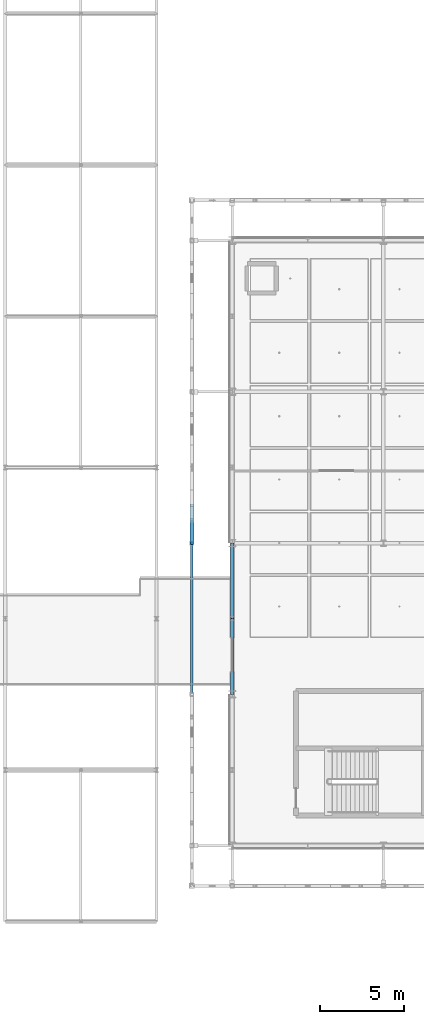
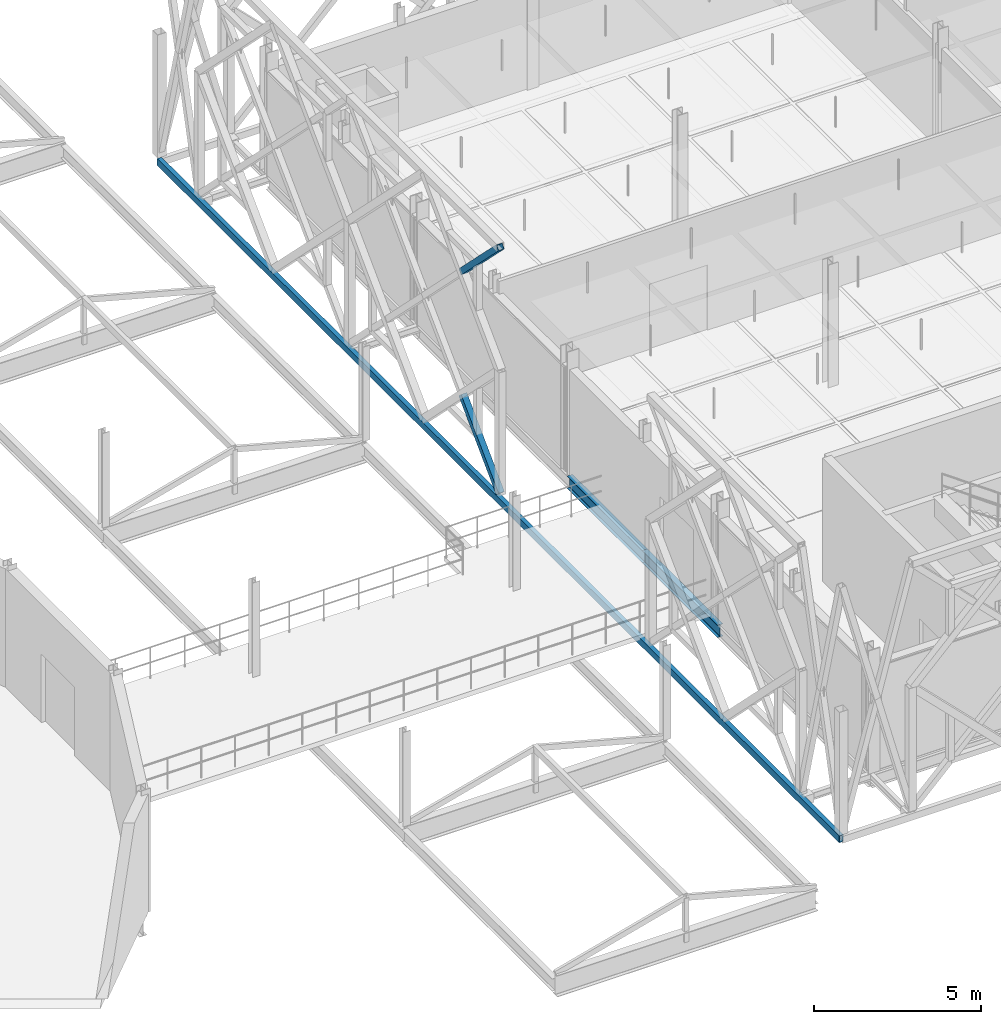
# One storey, part 23 of 140: 3 beams, 2 members.
"""IFC4 building model written with IfcOpenShell, lengths in metres."""

from ifc_helpers import new_model, si_unit, direction, frame, origin, origin_2d, place, context, subcontext, project, spatial, hollow_rectangle, i_section, extrude, material, material_profile, profile_set, type_object, element, save


model = new_model("IFC4")

# Units and contexts
model_context = context("Model", 3, precision=1e-05, world=origin(), true_north=direction((0.0, 1.0)))
body_context = subcontext(model_context, "Body", "Model", "MODEL_VIEW")
ifc_project = project(units=[si_unit("LENGTHUNIT", "METRE"), si_unit("AREAUNIT", "SQUARE_METRE"), si_unit("VOLUMEUNIT", "CUBIC_METRE"), si_unit("PLANEANGLEUNIT", "RADIAN"), si_unit("MASSUNIT", "GRAM", prefix="KILO"), si_unit("THERMODYNAMICTEMPERATUREUNIT", "KELVIN"), si_unit("POWERUNIT", "WATT")], contexts=[model_context])

# Site, building, storey
site_placement = place(None, origin())
site = spatial("IfcSite", under=ifc_project, at=site_placement, CompositionType="ELEMENT")
building_placement = place(site_placement, origin())
building = spatial("IfcBuilding", under=site, at=building_placement, Name="Tallowbark Science Centre", CompositionType="ELEMENT")
storey_placement = place(building_placement, frame((0.0, 0.0, 9.89990234375)))
storey = spatial("IfcBuildingStorey", under=building, at=storey_placement, Name="L02", CompositionType="ELEMENT", Elevation=9.89990234375)

# Members
ifc_material_1 = material(Name="White Architectural Painted Steel Grade C350L0 (350 MPa)", Category="steel")
ifc_material_profile_1 = material_profile(ifc_material_1, hollow_rectangle(XDim=0.199951171875, YDim=0.199951171875, WallThickness=0.009033203125, at=origin_2d()), Name="200x200x9.0SHS")
ifc_profile_set_1 = profile_set([ifc_material_profile_1], Name="White Architectural Painted Steel Grade C350L0 (350 MPa)")
member_type = type_object("IfcMemberType", Name="SCR-STAR139", PredefinedType="BRACE", material=ifc_profile_set_1)
for number, where, z_axis, x_axis, name in (
    (1, (56.10009765625, 22.5, 0.0), (0.0, 0.707106781187, 0.707106781187), (-1.0, 0.0, 0.0), "Star Screen Continuous X-Diagonal D1A W-32"),
    (2, (56.10009765625, 22.5, 9.0), (0.0, 0.707106781187, -0.707106781187), (-1.0, 0.0, 0.0), "Star Screen Split X-Diagonal D2A W-32"),
):
    element("IfcMember", number, at=place(storey_placement, frame(where, z_axis=z_axis, x_axis=x_axis)), inside=storey, type_object=member_type, Name=name, PredefinedType="BRACE", context=body_context, shape_type="SweptSolid", body=[
        extrude(hollow_rectangle(XDim=0.199951171875, YDim=0.199951171875, WallThickness=0.009033203125, at=origin_2d()), origin(), (0.0, 0.0, 1.0), 3.181884765625),
    ])

# Beams
ifc_material_profile_2 = material_profile(ifc_material_1, hollow_rectangle(XDim=0.14990234375, YDim=0.25, WallThickness=0.009033203125, at=origin_2d()), Name="250x150x9.0RHS")
ifc_profile_set_2 = profile_set([ifc_material_profile_2], Name="White Architectural Painted Steel Grade C350L0 (350 MPa)")
beam_type_1 = type_object("IfcBeamType", Name="SPN-RHS250", PredefinedType="SPANDREL", material=ifc_profile_set_2)
beam_placement = place(storey_placement, frame((56.10009765625, 2.10009765625, -0.25), z_axis=(0.0, 1.0, 0.0), x_axis=(-1.0, 0.0, 0.0)))
element("IfcBeam", 3, at=beam_placement, inside=storey, type_object=beam_type_1, Name="Star Screen Perimeter Ring Beam W-L02", PredefinedType="SPANDREL", context=body_context, shape_type="SweptSolid", body=[
    extrude(hollow_rectangle(XDim=0.14990234375, YDim=0.25, WallThickness=0.009033203125, at=origin_2d()), origin(), (0.0, 0.0, 1.0), 40.7998046875),
])
ifc_material_2 = material(Name="Structural Steel Grade 300PLUS (300 MPa)", Category="steel")
ifc_material_profile_3 = material_profile(ifc_material_2, i_section(OverallWidth=0.18994140625, OverallDepth=0.453857421875, WebThickness=0.008544921875, FlangeThickness=0.0126953125, FilletRadius=0.011474609375, at=origin_2d()), Name="460UB67.1")
ifc_profile_set_3 = profile_set([ifc_material_profile_3], Name="Structural Steel Grade 300PLUS (300 MPa)")
beam_type_2 = type_object("IfcBeamType", Name="SPN-UB460", PredefinedType="SPANDREL", material=ifc_profile_set_3)
for number, where, z_axis, x_axis, name in (
    (4, (58.5, 13.5, -0.40673828125), (0.0, 1.0, 0.0), (-1.0, 0.0, 0.0), "Primary Girder GRDY-L02-585-135-180"),
    (5, (58.5, 18.0, -0.40673828125), (0.0, 1.0, 0.0), (-1.0, 0.0, 0.0), "Primary Girder GRDY-L02-585-180-225"),
):
    element("IfcBeam", number, at=place(storey_placement, frame(where, z_axis=z_axis, x_axis=x_axis)), inside=storey, type_object=beam_type_2, Name=name, PredefinedType="SPANDREL", context=body_context, shape_type="SweptSolid", body=[
        extrude(i_section(OverallWidth=0.18994140625, OverallDepth=0.453857421875, WebThickness=0.008544921875, FlangeThickness=0.0126953125, FilletRadius=0.011474609375, at=origin_2d()), origin(), (0.0, 0.0, 1.0), 4.5),
    ])

save(model, "model.ifc")
